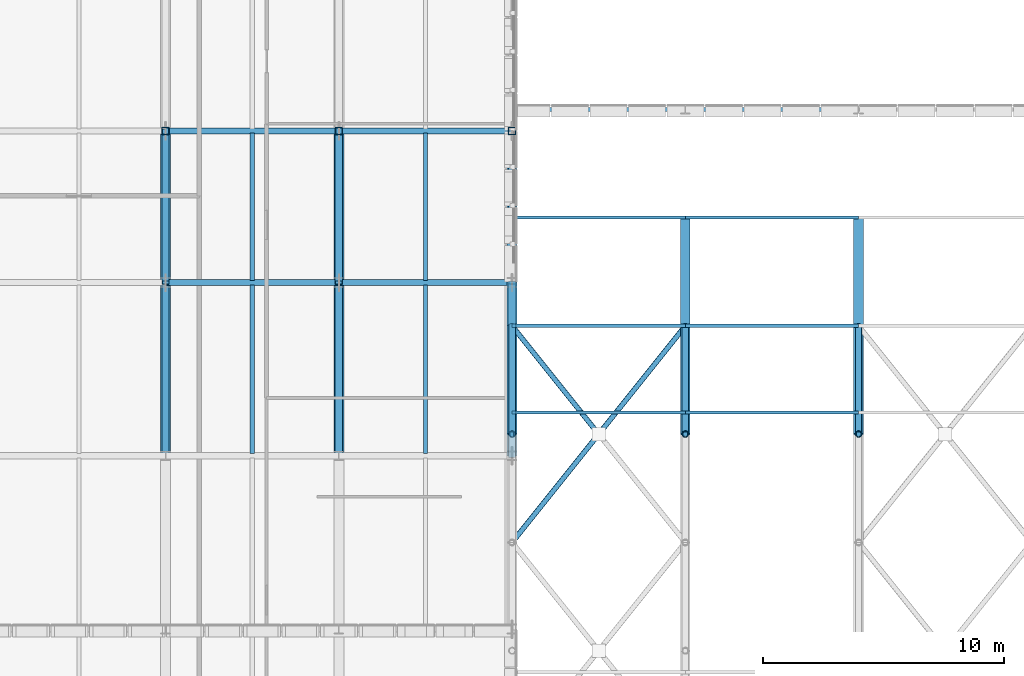
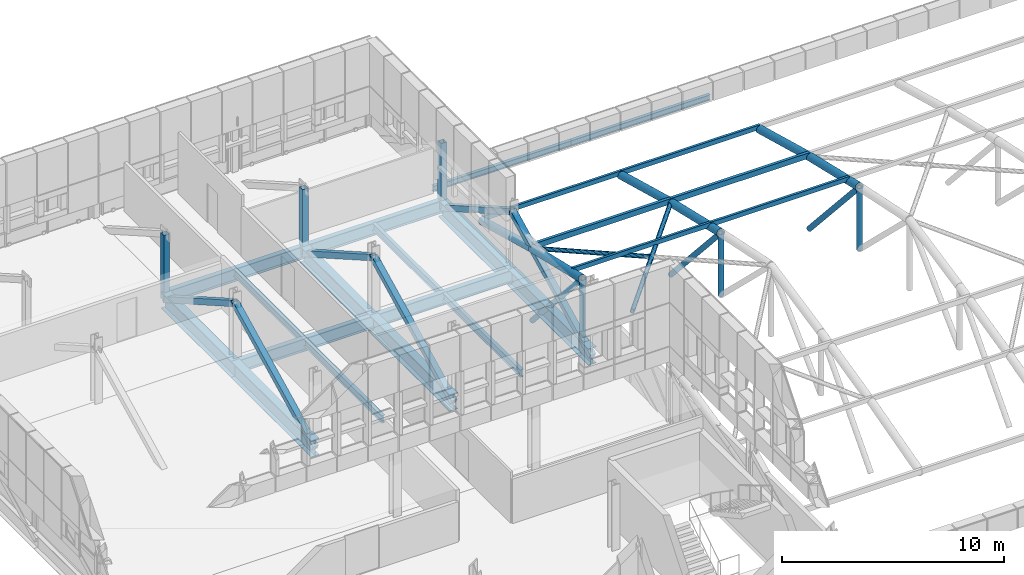
# One storey, part 23 of 96: 29 members, 16 beams.
"""IFC4 building model written with IfcOpenShell, lengths in metres."""

from ifc_helpers import new_model, si_unit, direction, frame, origin, origin_2d, place, context, subcontext, project, spatial, hollow_rectangle, hollow_circle, i_section, extrude, material, material_profile, profile_set, type_object, element, save


model = new_model("IFC4")

# Units and contexts
model_context = context("Model", 3, precision=1e-05, world=origin(), true_north=direction((0.0, 1.0)))
body_context = subcontext(model_context, "Body", "Model", "MODEL_VIEW")
ifc_project = project(units=[si_unit("LENGTHUNIT", "METRE"), si_unit("AREAUNIT", "SQUARE_METRE"), si_unit("VOLUMEUNIT", "CUBIC_METRE"), si_unit("PLANEANGLEUNIT", "RADIAN"), si_unit("MASSUNIT", "GRAM", prefix="KILO")], contexts=[model_context])

# Site, building, storey
site_placement = place(None, origin())
site = spatial("IfcSite", under=ifc_project, at=site_placement, CompositionType="ELEMENT")
building_placement = place(site_placement, origin())
building = spatial("IfcBuilding", under=site, at=building_placement, Name="Yarey Park Central Fire Station", CompositionType="ELEMENT")
storey_placement = place(building_placement, frame((0.0, 0.0, 14.39990234375)))
storey = spatial("IfcBuildingStorey", under=building, at=storey_placement, Name="L04", CompositionType="ELEMENT", Elevation=14.39990234375)

# Beams
ifc_material_1 = material(Name="Steel ASTM A992 Gr. 50", Category="steel")
ifc_material_profile_1 = material_profile(ifc_material_1, i_section(OverallWidth=0.256103515625, OverallDepth=0.693115234375, WebThickness=0.014404296875, FlangeThickness=0.023681640625, at=origin_2d()), Name="W690x170")
ifc_profile_set_1 = profile_set([ifc_material_profile_1], Name="Steel ASTM A992 Gr. 50")
beam_type_1 = type_object("IfcBeamType", Name="STR_BM_W690", PredefinedType="BEAM", material=ifc_profile_set_1)
beam_1_placement = place(storey_placement, frame((43.199951171875, 92.699951171875, -0.596435546875), z_axis=(1.0, 0.0, 0.0), x_axis=(0.0, 1.0, 0.0)))
element("IfcBeam", 1, at=beam_1_placement, inside=storey, type_object=beam_type_1, Name="CANT TIE L04 Y927 X43", PredefinedType="BEAM", context=body_context, shape_type="SweptSolid", body=[
    extrude(i_section(OverallWidth=0.256103515625, OverallDepth=0.693115234375, WebThickness=0.014404296875, FlangeThickness=0.023681640625, at=origin_2d()), origin(), (0.0, 0.0, 1.0), 7.199951171875),
])
beam_2_placement = place(storey_placement, frame((50.39990234375, 92.699951171875, -0.596435546875), z_axis=(1.0, 0.0, 0.0), x_axis=(0.0, 1.0, 0.0)))
element("IfcBeam", 2, at=beam_2_placement, inside=storey, type_object=beam_type_1, Name="CANT TIE L04 Y927 X50", PredefinedType="BEAM", context=body_context, shape_type="SweptSolid", body=[
    extrude(i_section(OverallWidth=0.256103515625, OverallDepth=0.693115234375, WebThickness=0.014404296875, FlangeThickness=0.023681640625, at=origin_2d()), origin(), (0.0, 0.0, 1.0), 7.2001953125),
])
beam_3_placement = place(storey_placement, frame((43.199951171875, 86.39990234375, -0.596435546875), z_axis=(1.0, 0.0, 0.0), x_axis=(0.0, 1.0, 0.0)))
element("IfcBeam", 3, at=beam_3_placement, inside=storey, type_object=beam_type_1, Name="BMX L04 Y864 X432", PredefinedType="BEAM", context=body_context, shape_type="SweptSolid", body=[
    extrude(i_section(OverallWidth=0.256103515625, OverallDepth=0.693115234375, WebThickness=0.014404296875, FlangeThickness=0.023681640625, at=origin_2d()), origin(), (0.0, 0.0, 1.0), 7.199951171875),
])
beam_4_placement = place(storey_placement, frame((50.39990234375, 86.39990234375, -0.596435546875), z_axis=(1.0, 0.0, 0.0), x_axis=(0.0, 1.0, 0.0)))
element("IfcBeam", 4, at=beam_4_placement, inside=storey, type_object=beam_type_1, Name="BMX L04 Y864 X504", PredefinedType="BEAM", context=body_context, shape_type="SweptSolid", body=[
    extrude(i_section(OverallWidth=0.256103515625, OverallDepth=0.693115234375, WebThickness=0.014404296875, FlangeThickness=0.023681640625, at=origin_2d()), origin(), (0.0, 0.0, 1.0), 7.2001953125),
])
ifc_material_profile_2 = material_profile(ifc_material_1, i_section(OverallWidth=0.41796875, OverallDepth=0.912109375, WebThickness=0.019287109375, FlangeThickness=0.031982421875, at=origin_2d()), Name="W920x342")
ifc_profile_set_2 = profile_set([ifc_material_profile_2], Name="Steel ASTM A992 Gr. 50")
beam_type_2 = type_object("IfcBeamType", Name="STR_BM_W920", PredefinedType="BEAM", material=ifc_profile_set_2)
beam_5_placement = place(storey_placement, frame((43.199951171875, 79.199951171875, -0.705810546875), z_axis=(0.0, 1.0, 0.0), x_axis=(-1.0, 0.0, 0.0)))
element("IfcBeam", 5, at=beam_5_placement, inside=storey, type_object=beam_type_2, Name="Transfer Truss TT3 L04 CH4", PredefinedType="BEAM", context=body_context, shape_type="SweptSolid", body=[
    extrude(i_section(OverallWidth=0.41796875, OverallDepth=0.912109375, WebThickness=0.019287109375, FlangeThickness=0.031982421875, at=origin_2d()), origin(), (0.0, 0.0, 1.0), 7.199951171875),
])
beam_6_placement = place(storey_placement, frame((43.199951171875, 86.39990234375, -0.705810546875), z_axis=(0.0, 1.0, 0.0), x_axis=(-1.0, 0.0, 0.0)))
element("IfcBeam", 6, at=beam_6_placement, inside=storey, type_object=beam_type_2, Name="Transfer Truss TT3 L04 CH5", PredefinedType="BEAM", context=body_context, shape_type="SweptSolid", body=[
    extrude(i_section(OverallWidth=0.41796875, OverallDepth=0.912109375, WebThickness=0.019287109375, FlangeThickness=0.031982421875, at=origin_2d()), origin(), (0.0, 0.0, 1.0), 6.300048828125),
])
beam_7_placement = place(storey_placement, frame((50.39990234375, 79.199951171875, -0.705810546875), z_axis=(0.0, 1.0, 0.0), x_axis=(-1.0, 0.0, 0.0)))
element("IfcBeam", 7, at=beam_7_placement, inside=storey, type_object=beam_type_2, Name="Transfer Truss TT4 L04 CH4", PredefinedType="BEAM", context=body_context, shape_type="SweptSolid", body=[
    extrude(i_section(OverallWidth=0.41796875, OverallDepth=0.912109375, WebThickness=0.019287109375, FlangeThickness=0.031982421875, at=origin_2d()), origin(), (0.0, 0.0, 1.0), 7.199951171875),
])
beam_8_placement = place(storey_placement, frame((50.39990234375, 86.39990234375, -0.705810546875), z_axis=(0.0, 1.0, 0.0), x_axis=(-1.0, 0.0, 0.0)))
element("IfcBeam", 8, at=beam_8_placement, inside=storey, type_object=beam_type_2, Name="Transfer Truss TT4 L04 CH5", PredefinedType="BEAM", context=body_context, shape_type="SweptSolid", body=[
    extrude(i_section(OverallWidth=0.41796875, OverallDepth=0.912109375, WebThickness=0.019287109375, FlangeThickness=0.031982421875, at=origin_2d()), origin(), (0.0, 0.0, 1.0), 6.300048828125),
])
ifc_material_profile_3 = material_profile(ifc_material_1, i_section(OverallWidth=0.41796875, OverallDepth=0.912109375, WebThickness=0.019287109375, FlangeThickness=0.031982421875, at=origin_2d()), Name="W920x342")
ifc_profile_set_3 = profile_set([ifc_material_profile_3], Name="Steel ASTM A992 Gr. 50")
beam_type_3 = type_object("IfcBeamType", Name="STR_BM_W920E", PredefinedType="BEAM", material=ifc_profile_set_3)
beam_9_placement = place(storey_placement, frame((57.60009765625, 79.199951171875, -0.705810546875), z_axis=(0.0, 1.0, 0.0), x_axis=(-1.0, 0.0, 0.0)))
element("IfcBeam", 9, at=beam_9_placement, inside=storey, type_object=beam_type_3, Name="Transfer Truss TT5 L04 CH4", PredefinedType="BEAM", context=body_context, shape_type="SweptSolid", body=[
    extrude(i_section(OverallWidth=0.41796875, OverallDepth=0.912109375, WebThickness=0.019287109375, FlangeThickness=0.031982421875, at=origin_2d()), origin(), (0.0, 0.0, 1.0), 7.199951171875),
])
beam_10_placement = place(storey_placement, frame((57.60009765625, 86.39990234375, -0.705810546875), z_axis=(0.0, 1.0, 0.0), x_axis=(-1.0, 0.0, 0.0)))
element("IfcBeam", 10, at=beam_10_placement, inside=storey, type_object=beam_type_3, Name="Transfer Truss TT5 L04 CH5", PredefinedType="BEAM", context=body_context, shape_type="SweptSolid", body=[
    extrude(i_section(OverallWidth=0.41796875, OverallDepth=0.912109375, WebThickness=0.019287109375, FlangeThickness=0.031982421875, at=origin_2d()), origin(), (0.0, 0.0, 1.0), 6.300048828125),
])

# Members
ifc_material_2 = material(Name="Steel ASTM A500 Gr. C", Category="steel")
ifc_material_profile_4 = material_profile(ifc_material_2, hollow_circle(Radius=0.109619140625, WallThickness=0.010009765625, at=origin_2d()), Name="CHS 219.1x10")
ifc_profile_set_4 = profile_set([ifc_material_profile_4], Name="Steel ASTM A500 Gr. C")
member_type_1 = type_object("IfcMemberType", Name="STR_BRC_CHS219", PredefinedType="BRACE", material=ifc_profile_set_4)
member_1_placement = place(storey_placement, frame((57.60009765625, 75.60009765625, 3.93603515625), z_axis=(0.615531741105, 0.769419894344, -0.170627377286), x_axis=(-0.780870876022, 0.624692464322, 0.0)))
element("IfcMember", 11, at=member_1_placement, inside=storey, type_object=member_type_1, Name="XBR_ARCH_B01_75_1", PredefinedType="BRACE", context=body_context, shape_type="SweptSolid", body=[
    extrude(hollow_circle(Radius=0.109619140625, WallThickness=0.010009765625, at=origin_2d()), origin(), (0.0, 0.0, 1.0), 11.697021484375),
])
member_2_placement = place(storey_placement, frame((61.199951171875, 80.10009765625, 2.93798828125), z_axis=(-0.615520968904, 0.76943251942, -0.170609304843), x_axis=(-0.780881208953, -0.624679547852, 0.0)))
element("IfcMember", 12, at=member_2_placement, inside=storey, type_object=member_type_1, Name="XBR_ARCH_B01_75_2B", PredefinedType="BRACE", context=body_context, shape_type="SweptSolid", body=[
    extrude(hollow_circle(Radius=0.109619140625, WallThickness=0.010009765625, at=origin_2d()), origin(), (0.0, 0.0, 1.0), 5.848388671875),
])
ifc_material_profile_5 = material_profile(ifc_material_2, hollow_circle(Radius=0.203125, WallThickness=0.01611328125, at=origin_2d()), Name="CHS 406.4x16")
ifc_profile_set_5 = profile_set([ifc_material_profile_5], Name="Steel ASTM A500 Gr. C")
member_type_2 = type_object("IfcMemberType", Name="STR_CHORD_CHS406", PredefinedType="CHORD", material=ifc_profile_set_5)
member_3_placement = place(storey_placement, frame((57.60009765625, 80.10009765625, 2.99609375), z_axis=(0.0, 0.97355760432, -0.228441657915), x_axis=(-1.0, 0.0, 0.0)))
element("IfcMember", 13, at=member_3_placement, inside=storey, type_object=member_type_2, Name="Arched Roof Truss ART_01 Top Chord 6", PredefinedType="CHORD", context=body_context, shape_type="SweptSolid", body=[
    extrude(hollow_circle(Radius=0.203125, WallThickness=0.01611328125, at=origin_2d()), origin(), (0.0, 0.0, 1.0), 4.622314453125),
])
member_4_placement = place(storey_placement, frame((57.60009765625, 84.60009765625, 1.940185546875), z_axis=(0.0, 0.965014687101, -0.262195830783), x_axis=(-1.0, 0.0, 0.0)))
element("IfcMember", 14, at=member_4_placement, inside=storey, type_object=member_type_2, Name="Arched Roof Truss ART_01 Top Chord 7", PredefinedType="CHORD", context=body_context, shape_type="SweptSolid", body=[
    extrude(hollow_circle(Radius=0.203125, WallThickness=0.01611328125, at=origin_2d()), origin(), (0.0, 0.0, 1.0), 4.6630859375),
])
member_5_placement = place(storey_placement, frame((64.800048828125, 80.10009765625, 2.99609375), z_axis=(0.0, 0.97355760432, -0.228441657915), x_axis=(-1.0, 0.0, 0.0)))
element("IfcMember", 15, at=member_5_placement, inside=storey, type_object=member_type_2, Name="Arched Roof Truss ART_02 Top Chord 6", PredefinedType="CHORD", context=body_context, shape_type="SweptSolid", body=[
    extrude(hollow_circle(Radius=0.203125, WallThickness=0.01611328125, at=origin_2d()), origin(), (0.0, 0.0, 1.0), 4.622314453125),
])
member_6_placement = place(storey_placement, frame((64.800048828125, 84.60009765625, 1.940185546875), z_axis=(0.0, 0.965014687101, -0.262195830783), x_axis=(-1.0, 0.0, 0.0)))
element("IfcMember", 16, at=member_6_placement, inside=storey, type_object=member_type_2, Name="Arched Roof Truss ART_02 Top Chord 7", PredefinedType="CHORD", context=body_context, shape_type="SweptSolid", body=[
    extrude(hollow_circle(Radius=0.203125, WallThickness=0.01611328125, at=origin_2d()), origin(), (0.0, 0.0, 1.0), 4.6630859375),
])
member_7_placement = place(storey_placement, frame((72.0, 80.10009765625, 2.99609375), z_axis=(0.0, 0.97355760432, -0.228441657915), x_axis=(-1.0, 0.0, 0.0)))
element("IfcMember", 17, at=member_7_placement, inside=storey, type_object=member_type_2, Name="Arched Roof Truss ART_03 Top Chord 6", PredefinedType="CHORD", context=body_context, shape_type="SweptSolid", body=[
    extrude(hollow_circle(Radius=0.203125, WallThickness=0.01611328125, at=origin_2d()), origin(), (0.0, 0.0, 1.0), 4.622314453125),
])
member_8_placement = place(storey_placement, frame((72.0, 84.60009765625, 1.940185546875), z_axis=(0.0, 0.965014687101, -0.262195830783), x_axis=(-1.0, 0.0, 0.0)))
element("IfcMember", 18, at=member_8_placement, inside=storey, type_object=member_type_2, Name="Arched Roof Truss ART_03 Top Chord 7", PredefinedType="CHORD", context=body_context, shape_type="SweptSolid", body=[
    extrude(hollow_circle(Radius=0.203125, WallThickness=0.01611328125, at=origin_2d()), origin(), (0.0, 0.0, 1.0), 4.6630859375),
])
ifc_material_profile_6 = material_profile(ifc_material_2, hollow_rectangle(XDim=0.125, YDim=0.25, WallThickness=0.008056640625, at=origin_2d()), Name="HSS 250x125x8")
ifc_profile_set_6 = profile_set([ifc_material_profile_6], Name="Steel ASTM A500 Gr. C")
member_type_3 = type_object("IfcMemberType", Name="STR_GIRT_HSS250", PredefinedType="PURLIN", material=ifc_profile_set_6)
for number, where, z_axis, x_axis, name in (
    (19, (57.60009765625, 81.0, 2.947021484375), (1.0, 0.0, 0.0), (0.0, 1.0, 0.0), "PUR_ARCH_B01_6"),
    (20, (57.60009765625, 89.10009765625, 0.856689453125), (1.0, 0.0, 0.0), (0.0, 1.0, 0.0), "PUR_ARCH_B01_8"),
    (21, (64.800048828125, 81.0, 2.947021484375), (1.0, 0.0, 0.0), (0.0, 1.0, 0.0), "PUR_ARCH_B02_6"),
    (22, (64.800048828125, 89.10009765625, 0.856689453125), (1.0, 0.0, 0.0), (0.0, 1.0, 0.0), "PUR_ARCH_B02_8"),
):
    element("IfcMember", number, at=place(storey_placement, frame(where, z_axis=z_axis, x_axis=x_axis)), inside=storey, type_object=member_type_3, Name=name, PredefinedType="PURLIN", context=body_context, shape_type="SweptSolid", body=[
        extrude(hollow_rectangle(XDim=0.125, YDim=0.25, WallThickness=0.008056640625, at=origin_2d()), origin(), (0.0, 0.0, 1.0), 7.199951171875),
    ])

# Beams
ifc_material_profile_7 = material_profile(ifc_material_1, i_section(OverallWidth=0.177978515625, OverallDepth=0.406982421875, WebThickness=0.0078125, FlangeThickness=0.0126953125, at=origin_2d()), Name="W410x60")
ifc_profile_set_7 = profile_set([ifc_material_profile_7], Name="Steel ASTM A992 Gr. 50")
beam_type_4 = type_object("IfcBeamType", Name="STR_JST_W410", PredefinedType="JOIST", material=ifc_profile_set_7)
for number, where, z_axis, x_axis, name in (
    (23, (46.800048828125, 86.47998046875, -0.453369140625), (0.0, 1.0, 0.0), (-1.0, 0.0, 0.0), "CANT JST L04 X468 Y864"),
    (24, (54.0, 86.47998046875, -0.453369140625), (0.0, 1.0, 0.0), (-1.0, 0.0, 0.0), "CANT JST L04 X540 Y864"),
):
    element("IfcBeam", number, at=place(storey_placement, frame(where, z_axis=z_axis, x_axis=x_axis)), inside=storey, type_object=beam_type_4, Name=name, PredefinedType="JOIST", context=body_context, shape_type="SweptSolid", body=[
        extrude(i_section(OverallWidth=0.177978515625, OverallDepth=0.406982421875, WebThickness=0.0078125, FlangeThickness=0.0126953125, at=origin_2d()), origin(), (0.0, 0.0, 1.0), 6.14013671875),
    ])
for number, where, z_axis, x_axis, name in (
    (25, (46.800048828125, 79.294921875, -0.453369140625), (0.0, 1.0, 0.0), (-1.0, 0.0, 0.0), "JST L04 X468 Y792"),
    (26, (54.0, 79.294921875, -0.453369140625), (0.0, 1.0, 0.0), (-1.0, 0.0, 0.0), "JST L04 X540 Y792"),
):
    element("IfcBeam", number, at=place(storey_placement, frame(where, z_axis=z_axis, x_axis=x_axis)), inside=storey, type_object=beam_type_4, Name=name, PredefinedType="JOIST", context=body_context, shape_type="SweptSolid", body=[
        extrude(i_section(OverallWidth=0.177978515625, OverallDepth=0.406982421875, WebThickness=0.0078125, FlangeThickness=0.0126953125, at=origin_2d()), origin(), (0.0, 0.0, 1.0), 7.010009765625),
    ])

# Members
ifc_material_profile_8 = material_profile(ifc_material_2, hollow_rectangle(XDim=0.300048828125, YDim=0.300048828125, WallThickness=0.01611328125, at=origin_2d()), Name="HSS 300x300x16")
ifc_profile_set_8 = profile_set([ifc_material_profile_8], Name="Steel ASTM A500 Gr. C")
member_type_4 = type_object("IfcMemberType", Name="STR_PRATT_HSS300", PredefinedType="BRACE", material=ifc_profile_set_8)
member_9_placement = place(storey_placement, frame((43.199951171875, 79.199951171875, -0.699951171875), z_axis=(0.0, 0.894421125195, 0.447225726904), x_axis=(-1.0, 0.0, 0.0)))
element("IfcMember", 27, at=member_9_placement, inside=storey, type_object=member_type_4, Name="TT3_L04_DIAG4", PredefinedType="BRACE", context=body_context, shape_type="SweptSolid", body=[
    extrude(hollow_rectangle(XDim=0.300048828125, YDim=0.300048828125, WallThickness=0.01611328125, at=origin_2d()), origin(), (0.0, 0.0, 1.0), 8.0498046875),
])
member_10_placement = place(storey_placement, frame((43.199951171875, 86.39990234375, 2.900146484375), z_axis=(0.0, 0.868239001029, -0.496146185203), x_axis=(-1.0, 0.0, 0.0)))
element("IfcMember", 28, at=member_10_placement, inside=storey, type_object=member_type_4, Name="TT3_L04_DIAG5", PredefinedType="BRACE", context=body_context, shape_type="SweptSolid", body=[
    extrude(hollow_rectangle(XDim=0.300048828125, YDim=0.300048828125, WallThickness=0.01611328125, at=origin_2d()), origin(), (0.0, 0.0, 1.0), 7.256103515625),
])
member_11_placement = place(storey_placement, frame((43.199951171875, 92.699951171875, -0.699951171875), z_axis=(0.0, 0.0, 1.0), x_axis=(1.0, 0.0, 0.0)))
element("IfcMember", 29, at=member_11_placement, inside=storey, type_object=member_type_4, Name="TT3_L04_POST_927", PredefinedType="BRACE", context=body_context, shape_type="SweptSolid", body=[
    extrude(hollow_rectangle(XDim=0.300048828125, YDim=0.300048828125, WallThickness=0.01611328125, at=origin_2d()), origin(), (0.0, 0.0, 1.0), 3.60009765625),
])
member_12_placement = place(storey_placement, frame((50.39990234375, 79.199951171875, -0.699951171875), z_axis=(0.0, 0.894421125195, 0.447225726904), x_axis=(-1.0, 0.0, 0.0)))
element("IfcMember", 30, at=member_12_placement, inside=storey, type_object=member_type_4, Name="TT4_L04_DIAG4", PredefinedType="BRACE", context=body_context, shape_type="SweptSolid", body=[
    extrude(hollow_rectangle(XDim=0.300048828125, YDim=0.300048828125, WallThickness=0.01611328125, at=origin_2d()), origin(), (0.0, 0.0, 1.0), 8.0498046875),
])
member_13_placement = place(storey_placement, frame((50.39990234375, 86.39990234375, 2.900146484375), z_axis=(0.0, 0.868239001029, -0.496146185203), x_axis=(-1.0, 0.0, 0.0)))
element("IfcMember", 31, at=member_13_placement, inside=storey, type_object=member_type_4, Name="TT4_L04_DIAG5", PredefinedType="BRACE", context=body_context, shape_type="SweptSolid", body=[
    extrude(hollow_rectangle(XDim=0.300048828125, YDim=0.300048828125, WallThickness=0.01611328125, at=origin_2d()), origin(), (0.0, 0.0, 1.0), 7.256103515625),
])
member_14_placement = place(storey_placement, frame((50.39990234375, 92.699951171875, -0.699951171875), z_axis=(0.0, 0.0, 1.0), x_axis=(1.0, 0.0, 0.0)))
element("IfcMember", 32, at=member_14_placement, inside=storey, type_object=member_type_4, Name="TT4_L04_POST_927", PredefinedType="BRACE", context=body_context, shape_type="SweptSolid", body=[
    extrude(hollow_rectangle(XDim=0.300048828125, YDim=0.300048828125, WallThickness=0.01611328125, at=origin_2d()), origin(), (0.0, 0.0, 1.0), 3.60009765625),
])
ifc_material_profile_9 = material_profile(ifc_material_2, hollow_rectangle(XDim=0.300048828125, YDim=0.300048828125, WallThickness=0.01611328125, at=origin_2d()), Name="HSS 300x300x16")
ifc_profile_set_9 = profile_set([ifc_material_profile_9], Name="Steel ASTM A500 Gr. C")
member_type_5 = type_object("IfcMemberType", Name="STR_PRATT_HSS300E", PredefinedType="BRACE", material=ifc_profile_set_9)
member_15_placement = place(storey_placement, frame((57.60009765625, 79.199951171875, -0.699951171875), z_axis=(0.0, 0.894421125195, 0.447225726904), x_axis=(-1.0, 0.0, 0.0)))
element("IfcMember", 33, at=member_15_placement, inside=storey, type_object=member_type_5, Name="TT5_L04_DIAG4", PredefinedType="BRACE", context=body_context, shape_type="SweptSolid", body=[
    extrude(hollow_rectangle(XDim=0.300048828125, YDim=0.300048828125, WallThickness=0.01611328125, at=origin_2d()), origin(), (0.0, 0.0, 1.0), 8.0498046875),
])
member_16_placement = place(storey_placement, frame((57.60009765625, 86.39990234375, 2.900146484375), z_axis=(0.0, 0.868239001029, -0.496146185203), x_axis=(-1.0, 0.0, 0.0)))
element("IfcMember", 34, at=member_16_placement, inside=storey, type_object=member_type_5, Name="TT5_L04_DIAG5", PredefinedType="BRACE", context=body_context, shape_type="SweptSolid", body=[
    extrude(hollow_rectangle(XDim=0.300048828125, YDim=0.300048828125, WallThickness=0.01611328125, at=origin_2d()), origin(), (0.0, 0.0, 1.0), 7.256103515625),
])
member_17_placement = place(storey_placement, frame((57.60009765625, 92.699951171875, -0.699951171875), z_axis=(0.0, 0.0, 1.0), x_axis=(1.0, 0.0, 0.0)))
element("IfcMember", 35, at=member_17_placement, inside=storey, type_object=member_type_5, Name="TT5_L04_POST_927", PredefinedType="BRACE", context=body_context, shape_type="SweptSolid", body=[
    extrude(hollow_rectangle(XDim=0.300048828125, YDim=0.300048828125, WallThickness=0.01611328125, at=origin_2d()), origin(), (0.0, 0.0, 1.0), 3.60009765625),
])
ifc_material_profile_10 = material_profile(ifc_material_2, hollow_rectangle(XDim=0.14990234375, YDim=0.300048828125, WallThickness=0.010009765625, at=origin_2d()), Name="HSS 300x150x10")
ifc_profile_set_10 = profile_set([ifc_material_profile_10], Name="Steel ASTM A500 Gr. C")
member_type_6 = type_object("IfcMemberType", Name="STR_PUR_HSS300", PredefinedType="PURLIN", material=ifc_profile_set_10)
for number, where, z_axis, x_axis, name in (
    (36, (57.60009765625, 84.60009765625, 2.05419921875), (1.0, 0.0, 0.0), (0.0, 1.0, 0.0), "PUR_ARCH_B01_7"),
    (37, (64.800048828125, 84.60009765625, 2.05419921875), (1.0, 0.0, 0.0), (0.0, 1.0, 0.0), "PUR_ARCH_B02_7"),
):
    element("IfcMember", number, at=place(storey_placement, frame(where, z_axis=z_axis, x_axis=x_axis)), inside=storey, type_object=member_type_6, Name=name, PredefinedType="PURLIN", context=body_context, shape_type="SweptSolid", body=[
        extrude(hollow_rectangle(XDim=0.14990234375, YDim=0.300048828125, WallThickness=0.010009765625, at=origin_2d()), origin(), (0.0, 0.0, 1.0), 7.199951171875),
    ])

# Beams
ifc_material_profile_11 = material_profile(ifc_material_1, i_section(OverallWidth=0.1650390625, OverallDepth=0.31005859375, WebThickness=0.005859375, FlangeThickness=0.009765625, at=origin_2d()), Name="W310x39")
ifc_profile_set_11 = profile_set([ifc_material_profile_11], Name="Steel ASTM A992 Gr. 50")
beam_type_5 = type_object("IfcBeamType", Name="STR_SPN_W310", PredefinedType="SPANDREL", material=ifc_profile_set_11)
for number, where, z_axis, x_axis, name in (
    (38, (57.60009765625, 93.60009765625, -0.23486328125), (1.0, 0.0, 0.0), (0.0, 1.0, 0.0), "V2 BOX GIRT N M2 01"),
    (39, (64.800048828125, 93.60009765625, -0.23486328125), (1.0, 0.0, 0.0), (0.0, 1.0, 0.0), "V2 BOX GIRT N M2 02"),
):
    element("IfcBeam", number, at=place(storey_placement, frame(where, z_axis=z_axis, x_axis=x_axis)), inside=storey, type_object=beam_type_5, Name=name, PredefinedType="SPANDREL", context=body_context, shape_type="SweptSolid", body=[
        extrude(i_section(OverallWidth=0.1650390625, OverallDepth=0.31005859375, WebThickness=0.005859375, FlangeThickness=0.009765625, at=origin_2d()), origin(), (0.0, 0.0, 1.0), 7.199951171875),
    ])

# Members
ifc_material_profile_12 = material_profile(ifc_material_2, hollow_circle(Radius=0.136474609375, WallThickness=0.012451171875, at=origin_2d()), Name="CHS 273x12.5")
ifc_profile_set_12 = profile_set([ifc_material_profile_12], Name="Steel ASTM A500 Gr. C")
member_type_7 = type_object("IfcMemberType", Name="STR_WEB_CHS273", PredefinedType="BRACE", material=ifc_profile_set_12)
member_18_placement = place(storey_placement, frame((57.60009765625, 80.10009765625, 2.99609375), z_axis=(0.0, 0.667414870686, -0.744686101916), x_axis=(-1.0, 0.0, 0.0)))
element("IfcMember", 40, at=member_18_placement, inside=storey, type_object=member_type_7, Name="Arched Roof Truss ART_01 Diagonal 6", PredefinedType="BRACE", context=body_context, shape_type="SweptSolid", body=[
    extrude(hollow_circle(Radius=0.136474609375, WallThickness=0.012451171875, at=origin_2d()), origin(), (0.0, 0.0, 1.0), 6.742431640625),
])
member_19_placement = place(storey_placement, frame((57.60009765625, 80.10009765625, -0.43115234375), z_axis=(0.0, 0.0, 1.0), x_axis=(1.0, 0.0, 0.0)))
element("IfcMember", 41, at=member_19_placement, inside=storey, type_object=member_type_7, Name="Arched Roof Truss ART_01 Vertical 6", PredefinedType="BRACE", context=body_context, shape_type="SweptSolid", body=[
    extrude(hollow_circle(Radius=0.136474609375, WallThickness=0.012451171875, at=origin_2d()), origin(), (0.0, 0.0, 1.0), 3.42724609375),
])
member_20_placement = place(storey_placement, frame((64.800048828125, 80.10009765625, 2.99609375), z_axis=(0.0, 0.667414870686, -0.744686101916), x_axis=(-1.0, 0.0, 0.0)))
element("IfcMember", 42, at=member_20_placement, inside=storey, type_object=member_type_7, Name="Arched Roof Truss ART_02 Diagonal 6", PredefinedType="BRACE", context=body_context, shape_type="SweptSolid", body=[
    extrude(hollow_circle(Radius=0.136474609375, WallThickness=0.012451171875, at=origin_2d()), origin(), (0.0, 0.0, 1.0), 6.742431640625),
])
member_21_placement = place(storey_placement, frame((64.800048828125, 80.10009765625, -0.43115234375), z_axis=(0.0, 0.0, 1.0), x_axis=(1.0, 0.0, 0.0)))
element("IfcMember", 43, at=member_21_placement, inside=storey, type_object=member_type_7, Name="Arched Roof Truss ART_02 Vertical 6", PredefinedType="BRACE", context=body_context, shape_type="SweptSolid", body=[
    extrude(hollow_circle(Radius=0.136474609375, WallThickness=0.012451171875, at=origin_2d()), origin(), (0.0, 0.0, 1.0), 3.42724609375),
])
member_22_placement = place(storey_placement, frame((72.0, 80.10009765625, 2.99609375), z_axis=(0.0, 0.667414870686, -0.744686101916), x_axis=(-1.0, 0.0, 0.0)))
element("IfcMember", 44, at=member_22_placement, inside=storey, type_object=member_type_7, Name="Arched Roof Truss ART_03 Diagonal 6", PredefinedType="BRACE", context=body_context, shape_type="SweptSolid", body=[
    extrude(hollow_circle(Radius=0.136474609375, WallThickness=0.012451171875, at=origin_2d()), origin(), (0.0, 0.0, 1.0), 6.742431640625),
])
member_23_placement = place(storey_placement, frame((72.0, 80.10009765625, -0.43115234375), z_axis=(0.0, 0.0, 1.0), x_axis=(1.0, 0.0, 0.0)))
element("IfcMember", 45, at=member_23_placement, inside=storey, type_object=member_type_7, Name="Arched Roof Truss ART_03 Vertical 6", PredefinedType="BRACE", context=body_context, shape_type="SweptSolid", body=[
    extrude(hollow_circle(Radius=0.136474609375, WallThickness=0.012451171875, at=origin_2d()), origin(), (0.0, 0.0, 1.0), 3.42724609375),
])

save(model, "model.ifc")
